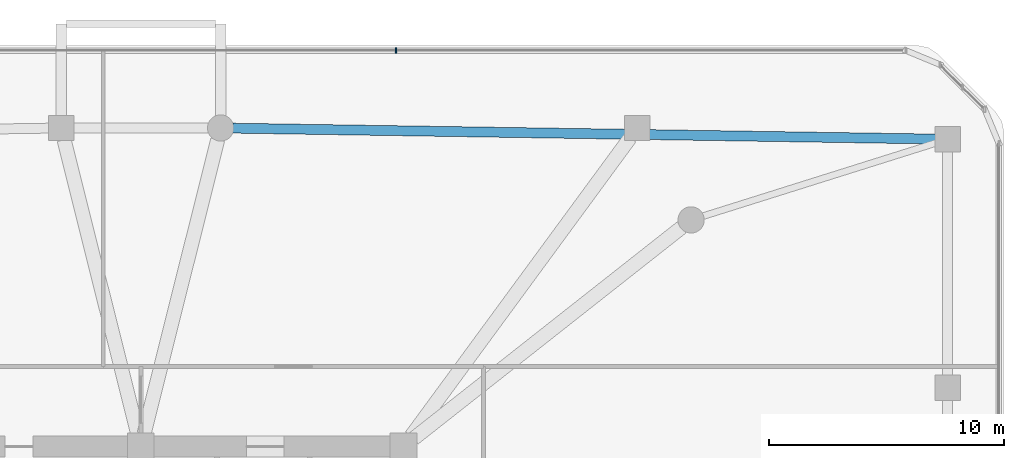
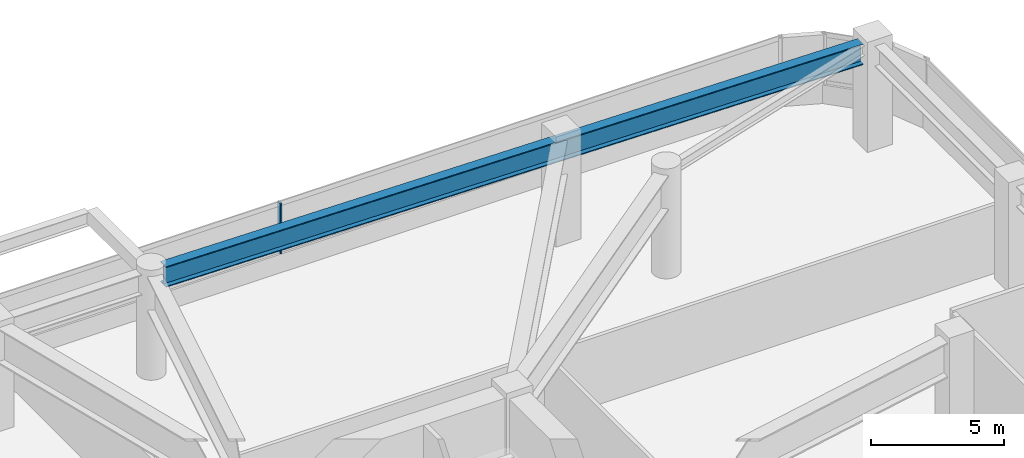
# One storey, part 8 of 21: 1 beam, 1 member, 1 element without a shape of its own.
"""IFC4 building model written with IfcOpenShell, lengths in metres."""

from ifc_helpers import new_model, si_unit, derived_unit, direction, frame, origin, origin_2d, place, context, subcontext, project, spatial, rectangle, i_section, extrude, material, material_profile, profile_set, type_object, element, aggregate, save


model = new_model("IFC4")

# Units and contexts
model_context = context("Model", 3, precision=1e-05, world=origin(), true_north=direction((0.0, 1.0)))
body_context = subcontext(model_context, "Body", "Model", "MODEL_VIEW")
ifc_project = project(units=[si_unit("LENGTHUNIT", "METRE"), si_unit("AREAUNIT", "SQUARE_METRE"), si_unit("VOLUMEUNIT", "CUBIC_METRE"), si_unit("PLANEANGLEUNIT", "RADIAN"), si_unit("MASSUNIT", "GRAM", prefix="KILO"), derived_unit("THERMALTRANSMITTANCEUNIT", [(si_unit("POWERUNIT", "WATT"), 1), (si_unit("LENGTHUNIT", "METRE"), -2), (si_unit("THERMODYNAMICTEMPERATUREUNIT", "KELVIN"), -1)])], contexts=[model_context])

# Site, building, storey
site_placement = place(None, origin())
site = spatial("IfcSite", under=ifc_project, at=site_placement, CompositionType="ELEMENT")
building_placement = place(site_placement, origin())
building = spatial("IfcBuilding", under=site, at=building_placement, Name="Koralith Skygarden Medical Center", CompositionType="ELEMENT")
storey_placement = place(building_placement, frame((0.0, 0.0, 18.89990234375)))
storey = spatial("IfcBuildingStorey", under=building, at=storey_placement, Name="L04", CompositionType="ELEMENT", Elevation=18.89990234375)

# Curtain wall, member
ifc_material_1 = material(Name="Clear Laminated Glass", Category="glass")
curtain_wall_type = type_object("IfcCurtainWallType", Name="CW-1 Transit & Podium Acoustic Curtain Wall", PredefinedType="NOTDEFINED", material=ifc_material_1)
curtain_wall_placement = place(storey_placement, origin())
curtain_wall = element("IfcCurtainWall", 1, at=curtain_wall_placement, inside=storey, type_object=curtain_wall_type, Name="Curtain Wall CW-L04-N", PredefinedType="NOTDEFINED")
ifc_material_2 = material(Name="Aluminium 6063-T6", Category="aluminium")
ifc_material_profile_1 = material_profile(ifc_material_2, rectangle(XDim=0.068115234375, YDim=0.239990234375, at=origin_2d()), Name="MUL68X240")
ifc_profile_set_1 = profile_set([ifc_material_profile_1], Name="Aluminium 6063-T6")
member_type = type_object("IfcMemberType", Name="CW-1 Extruded Mullion 68x240", PredefinedType="MULLION", material=ifc_profile_set_1)
member_placement = place(storey_placement, frame((47.8740234375, 51.3798828125, 0.85009765625), z_axis=(0.0, 0.0, 1.0), x_axis=(1.0, 0.0, 0.0)))
member = element("IfcMember", 2, at=member_placement, type_object=member_type, Name="CW-L04-N Mullion 2", PredefinedType="MULLION", context=body_context, shape_type="SweptSolid", body=[
    extrude(rectangle(XDim=0.068115234375, YDim=0.239990234375, at=origin_2d()), origin(), (0.0, 0.0, 1.0), 2.300048828125),
])
aggregate(curtain_wall, [member])

# Beam
ifc_material_3 = material(Name="Steel ASTM A992 Grade 50", Category="steel")
ifc_material_profile_2 = material_profile(ifc_material_3, i_section(OverallWidth=0.423095703125, OverallDepth=0.947998046875, WebThickness=0.02392578125, FlangeThickness=0.042724609375, at=origin_2d()), Name="W36X302")
ifc_profile_set_2 = profile_set([ifc_material_profile_2], Name="Steel ASTM A992 Grade 50")
beam_type = type_object("IfcBeamType", Name="Podium Concourse Girder W36X302", PredefinedType="BEAM", material=ifc_profile_set_2)
beam_placement = place(storey_placement, frame((70.8798828125, 47.60791015625, 4.2861328125), z_axis=(-0.999880035237, 0.015489194131, 0.0), x_axis=(-0.015489194131, -0.999880035237, 0.0)))
element("IfcBeam", 3, at=beam_placement, inside=storey, type_object=beam_type, Name="L04 Podium Perimeter Beam PB-09", PredefinedType="BEAM", context=body_context, shape_type="SweptSolid", body=[
    extrude(i_section(OverallWidth=0.423095703125, OverallDepth=0.947998046875, WebThickness=0.02392578125, FlangeThickness=0.042724609375, at=origin_2d()), origin(), (0.0, 0.0, 1.0), 29.963623046875),
])

save(model, "model.ifc")
